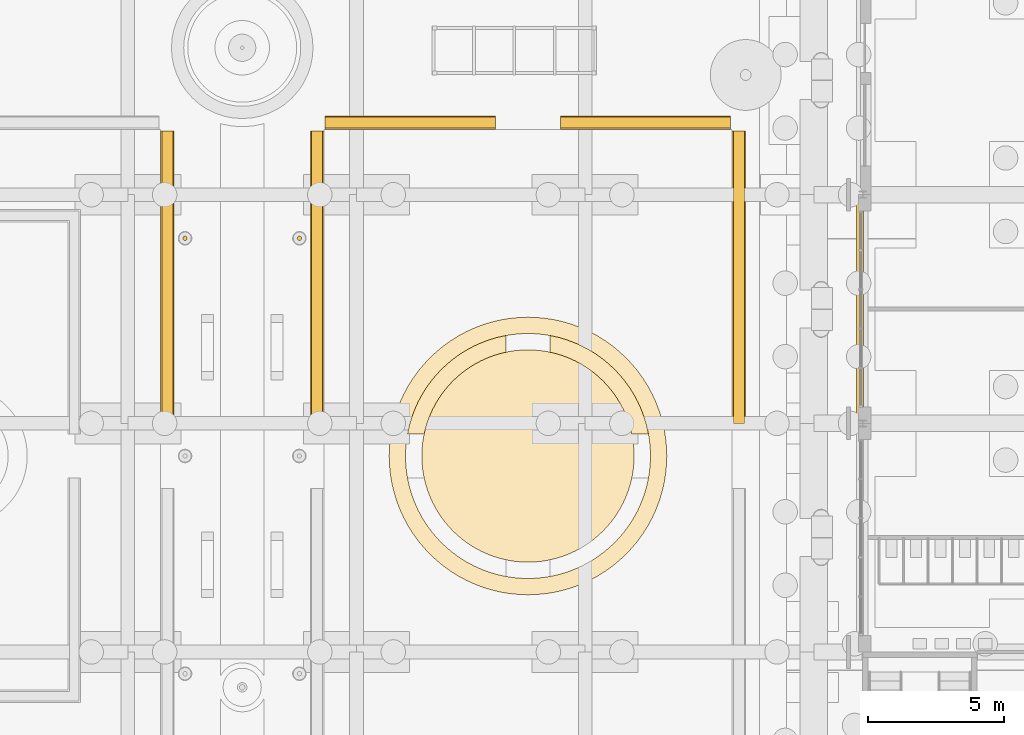
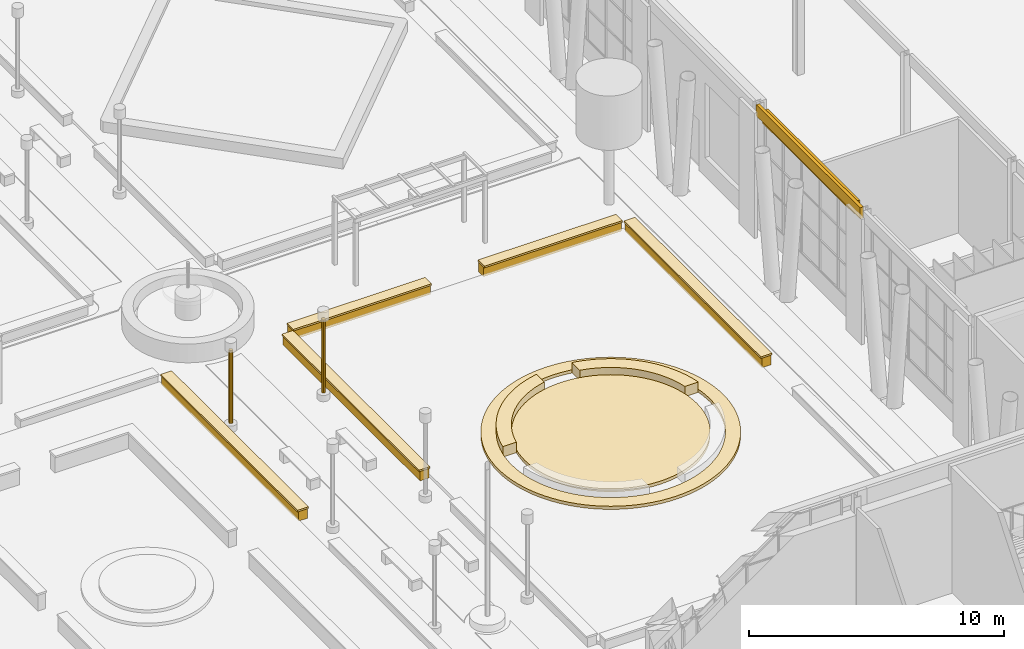
# One storey, part 139 of 222: 18 coverings.
"""IFC4 building model written with IfcOpenShell, lengths in metres."""

from ifc_helpers import new_model, si_unit, direction, frame, origin, origin_2d, place, context, subcontext, project, spatial, polyline, circle, outline, extrude, material, layer, layer_set, type_object, element, save


model = new_model("IFC4")

# Units and contexts
model_context = context("Model", 3, precision=1e-05, world=origin(), true_north=direction((0.0, 1.0)))
body_context = subcontext(model_context, "Body", "Model", "MODEL_VIEW")
ifc_project = project(units=[si_unit("LENGTHUNIT", "METRE"), si_unit("AREAUNIT", "SQUARE_METRE"), si_unit("VOLUMEUNIT", "CUBIC_METRE"), si_unit("PLANEANGLEUNIT", "RADIAN"), si_unit("MASSUNIT", "GRAM", prefix="KILO")], contexts=[model_context])

# Site, building, storey
site_placement = place(None, origin())
site = spatial("IfcSite", under=ifc_project, at=site_placement, CompositionType="ELEMENT")
building_placement = place(site_placement, origin())
building = spatial("IfcBuilding", under=site, at=building_placement, Name="Sava Quay Ferry Terminal", CompositionType="ELEMENT")
storey_placement = place(building_placement, origin())
storey = spatial("IfcBuildingStorey", under=building, at=storey_placement, Name="L00", CompositionType="ELEMENT", Elevation=0.0)

# Coverings
ifc_material_1 = material(Name="Copper patinated")
ifc_layer_1 = layer(ifc_material_1, 0.25)
ifc_layer_set_1 = layer_set([ifc_layer_1], Name="Copper patinated")
covering_type_1 = type_object("IfcCoveringType", Name="Copper spandrel panel 250", PredefinedType="CLADDING", material=ifc_layer_set_1)
covering_1_placement = place(storey_placement, frame((43.699951171875, 67.800048828125, 5.39990234375), z_axis=(0.0, 0.0, 1.0), x_axis=(0.0, 1.0, 0.0)))
element("IfcCovering", 1, at=covering_1_placement, inside=storey, type_object=covering_type_1, Name="Spandrel panel D-W", PredefinedType="CLADDING", context=body_context, shape_type="SweptSolid", body=[
    extrude(outline(polyline([(0.0, 0.0), (7.199951171875, 0.0), (7.199951171875, 0.60009765625), (0.0, 0.60009765625), (0.0, 0.0)])), frame((0.0, 0.125, 0.0), z_axis=(0.0, -1.0, 0.0), x_axis=(1.0, 0.0, 0.0)), (0.0, 0.0, 1.0), 0.25),
])
ifc_material_2 = material(Name="Steel S355", Category="steel")
ifc_layer_2 = layer(ifc_material_2, 0.159912109375)
ifc_layer_set_2 = layer_set([ifc_layer_2], Name="Steel S355")
covering_type_2 = type_object("IfcCoveringType", Name="Lamp standard column 160", PredefinedType="CLADDING", material=ifc_layer_set_2)
for number, where, z_axis, x_axis, name in (
    (2, (18.89990234375, 74.0, 3.800048828125), (0.0, 0.0, -1.0), (1.0, 0.0, 0.0), "Lamp standard column"),
    (3, (23.10009765625, 74.0, 3.800048828125), (0.0, 0.0, -1.0), (1.0, 0.0, 0.0), "Lamp standard column"),
):
    element("IfcCovering", number, at=place(storey_placement, frame(where, z_axis=z_axis, x_axis=x_axis)), inside=storey, type_object=covering_type_2, Name=name, PredefinedType="CLADDING", context=body_context, shape_type="SweptSolid", body=[
        extrude(circle(Radius=0.080078125, at=origin_2d()), origin(), (0.0, 0.0, 1.0), 3.5),
    ])
ifc_material_3 = material(Name="Limestone Mutalj", Category="masonry")
ifc_layer_3 = layer(ifc_material_3, 0.449951171875)
ifc_layer_set_3 = layer_set([ifc_layer_3], Name="Limestone Mutalj")
covering_type_3 = type_object("IfcCoveringType", Name="Seat wall 450", PredefinedType="CLADDING", material=ifc_layer_set_3)
covering_2_placement = place(storey_placement, frame((0.0, 0.0, 0.14990234375)))
element("IfcCovering", 4, at=covering_2_placement, inside=storey, type_object=covering_type_3, Name="Seat wall 450", PredefinedType="CLADDING", context=body_context, shape_type="SweptSolid", body=[
    extrude(outline(polyline([(27.239013671875, 67.446044921875), (27.153076171875, 67.1650390625), (27.0859375, 66.8779296875), (27.073974609375, 66.800048828125), (27.68408203125, 66.800048828125), (27.73291015625, 67.009033203125), (27.806884765625, 67.25390625), (27.89697265625, 67.491943359375), (28.001953125, 67.72509765625), (28.123046875, 67.949951171875), (28.257080078125, 68.1669921875), (28.406005859375, 68.3740234375), (28.568115234375, 68.571044921875), (28.741943359375, 68.758056640625), (28.928955078125, 68.931884765625), (29.1259765625, 69.093994140625), (29.3330078125, 69.242919921875), (29.550048828125, 69.376953125), (29.77490234375, 69.498046875), (30.008056640625, 69.60302734375), (30.24609375, 69.693115234375), (30.490966796875, 69.76708984375), (30.699951171875, 69.81591796875), (30.699951171875, 70.426025390625), (30.6220703125, 70.4140625), (30.3349609375, 70.346923828125), (30.053955078125, 70.260986328125), (29.778076171875, 70.156982421875), (29.510009765625, 70.035888671875), (29.25, 69.89697265625), (29.0, 69.741943359375), (28.760986328125, 69.570068359375), (28.532958984375, 69.383056640625), (28.318115234375, 69.181884765625), (28.116943359375, 68.967041015625), (27.929931640625, 68.739013671875), (27.758056640625, 68.5), (27.60302734375, 68.25), (27.464111328125, 67.989990234375), (27.343017578125, 67.721923828125), (27.239013671875, 67.446044921875)])), origin(), (0.0, 0.0, 1.0), 0.5),
])
covering_3_placement = place(storey_placement, frame((0.0, 0.0, 0.14990234375)))
element("IfcCovering", 5, at=covering_3_placement, inside=storey, type_object=covering_type_3, Name="Seat wall 450", PredefinedType="CLADDING", context=body_context, shape_type="SweptSolid", body=[
    extrude(outline(polyline([(32.946044921875, 70.260986328125), (32.6650390625, 70.346923828125), (32.3779296875, 70.4140625), (32.300048828125, 70.426025390625), (32.300048828125, 69.81591796875), (32.509033203125, 69.76708984375), (32.75390625, 69.693115234375), (32.991943359375, 69.60302734375), (33.22509765625, 69.498046875), (33.449951171875, 69.376953125), (33.6669921875, 69.242919921875), (33.8740234375, 69.093994140625), (34.071044921875, 68.931884765625), (34.258056640625, 68.758056640625), (34.431884765625, 68.571044921875), (34.593994140625, 68.3740234375), (34.742919921875, 68.1669921875), (34.876953125, 67.949951171875), (34.998046875, 67.72509765625), (35.10302734375, 67.491943359375), (35.193115234375, 67.25390625), (35.26708984375, 67.009033203125), (35.31591796875, 66.800048828125), (35.926025390625, 66.800048828125), (35.9140625, 66.8779296875), (35.846923828125, 67.1650390625), (35.760986328125, 67.446044921875), (35.656982421875, 67.721923828125), (35.535888671875, 67.989990234375), (35.39697265625, 68.25), (35.241943359375, 68.5), (35.070068359375, 68.739013671875), (34.883056640625, 68.967041015625), (34.681884765625, 69.181884765625), (34.467041015625, 69.383056640625), (34.239013671875, 69.570068359375), (34.0, 69.741943359375), (33.75, 69.89697265625), (33.489990234375, 70.035888671875), (33.221923828125, 70.156982421875), (32.946044921875, 70.260986328125)])), origin(), (0.0, 0.0, 1.0), 0.5),
])
ifc_material_4 = material(Name="Limestone Mutalj", Category="masonry")
ifc_layer_4 = layer(ifc_material_4, 0.14990234375)
ifc_layer_set_4 = layer_set([ifc_layer_4], Name="Limestone Mutalj")
covering_type_4 = type_object("IfcCoveringType", Name="Slab edge fascia 150", PredefinedType="CLADDING", material=ifc_layer_set_4)
covering_4_placement = place(storey_placement, frame((0.0, 0.0, 5.469970703125)))
element("IfcCovering", 6, at=covering_4_placement, inside=storey, type_object=covering_type_4, Name="Slab edge fascia", PredefinedType="CLADDING", context=body_context, shape_type="SweptSolid", body=[
    extrude(outline(polyline([(43.56201171875, 67.320068359375), (43.7119140625, 67.320068359375), (43.7119140625, 75.47998046875), (43.56201171875, 75.47998046875), (43.56201171875, 67.320068359375)])), origin(), (0.0, 0.0, 1.0), 0.530029296875),
])
ifc_material_5 = material(Name="Limestone Mutalj", Category="masonry")
ifc_layer_5 = layer(ifc_material_5, 0.14990234375)
ifc_layer_set_5 = layer_set([ifc_layer_5], Name="Limestone Mutalj")
covering_type_5 = type_object("IfcCoveringType", Name="Stone step 150", PredefinedType="MOLDING", material=ifc_layer_set_5)
covering_5_placement = place(storey_placement, frame((0.0, 0.0, 0.14990234375)))
element("IfcCovering", 7, at=covering_5_placement, inside=storey, type_object=covering_type_5, Name="Stone step 150", PredefinedType="MOLDING", context=body_context, shape_type="SweptSolid", body=[
    extrude(outline(polyline([(36.501953125, 65.0048828125), (36.555908203125, 65.333984375), (36.589111328125, 65.666015625), (36.60009765625, 66.0), (36.589111328125, 66.333984375), (36.555908203125, 66.666015625), (36.501953125, 66.9951171875), (36.426025390625, 67.320068359375), (36.3291015625, 67.638916015625), (36.2119140625, 67.951904296875), (36.073974609375, 68.256103515625), (35.9169921875, 68.550048828125), (35.739990234375, 68.8330078125), (35.5458984375, 69.10498046875), (35.333984375, 69.363037109375), (35.10595703125, 69.60595703125), (34.863037109375, 69.833984375), (34.60498046875, 70.0458984375), (34.3330078125, 70.239990234375), (34.050048828125, 70.4169921875), (33.756103515625, 70.573974609375), (33.451904296875, 70.7119140625), (33.138916015625, 70.8291015625), (32.820068359375, 70.926025390625), (32.4951171875, 71.001953125), (32.166015625, 71.055908203125), (31.833984375, 71.089111328125), (31.5, 71.10009765625), (31.166015625, 71.089111328125), (30.833984375, 71.055908203125), (30.5048828125, 71.001953125), (30.179931640625, 70.926025390625), (29.861083984375, 70.8291015625), (29.548095703125, 70.7119140625), (29.243896484375, 70.573974609375), (28.949951171875, 70.4169921875), (28.6669921875, 70.239990234375), (28.39501953125, 70.0458984375), (28.136962890625, 69.833984375), (27.89404296875, 69.60595703125), (27.666015625, 69.363037109375), (27.4541015625, 69.10498046875), (27.260009765625, 68.8330078125), (27.0830078125, 68.550048828125), (26.926025390625, 68.256103515625), (26.7880859375, 67.951904296875), (26.6708984375, 67.638916015625), (26.573974609375, 67.320068359375), (26.498046875, 66.9951171875), (26.444091796875, 66.666015625), (26.410888671875, 66.333984375), (26.39990234375, 66.0), (26.410888671875, 65.666015625), (26.444091796875, 65.333984375), (26.498046875, 65.0048828125), (26.573974609375, 64.679931640625), (26.6708984375, 64.361083984375), (26.7880859375, 64.048095703125), (26.926025390625, 63.743896484375), (27.0830078125, 63.449951171875), (27.260009765625, 63.1669921875), (27.4541015625, 62.89501953125), (27.666015625, 62.636962890625), (27.89404296875, 62.39404296875), (28.136962890625, 62.166015625), (28.39501953125, 61.9541015625), (28.6669921875, 61.760009765625), (28.949951171875, 61.5830078125), (29.243896484375, 61.426025390625), (29.548095703125, 61.2880859375), (29.861083984375, 61.1708984375), (30.179931640625, 61.073974609375), (30.5048828125, 60.998046875), (30.833984375, 60.944091796875), (31.166015625, 60.910888671875), (31.5, 60.89990234375), (31.833984375, 60.910888671875), (32.166015625, 60.944091796875), (32.4951171875, 60.998046875), (32.820068359375, 61.073974609375), (33.138916015625, 61.1708984375), (33.451904296875, 61.2880859375), (33.756103515625, 61.426025390625), (34.050048828125, 61.5830078125), (34.3330078125, 61.760009765625), (34.60498046875, 61.9541015625), (34.863037109375, 62.166015625), (35.10595703125, 62.39404296875), (35.333984375, 62.636962890625), (35.5458984375, 62.89501953125), (35.739990234375, 63.1669921875), (35.9169921875, 63.449951171875), (36.073974609375, 63.743896484375), (36.2119140625, 64.048095703125), (36.3291015625, 64.361083984375), (36.426025390625, 64.679931640625), (36.501953125, 65.0048828125)]), holes=[polyline([(35.9140625, 66.8779296875), (35.9619140625, 66.5869140625), (35.989990234375, 66.2939453125), (36.0, 66.0), (35.989990234375, 65.7060546875), (35.9619140625, 65.4130859375), (35.9140625, 65.1220703125), (35.846923828125, 64.8349609375), (35.760986328125, 64.553955078125), (35.656982421875, 64.278076171875), (35.535888671875, 64.010009765625), (35.39697265625, 63.75), (35.241943359375, 63.5), (35.070068359375, 63.260986328125), (34.883056640625, 63.032958984375), (34.681884765625, 62.818115234375), (34.467041015625, 62.616943359375), (34.239013671875, 62.429931640625), (34.0, 62.258056640625), (33.75, 62.10302734375), (33.489990234375, 61.964111328125), (33.221923828125, 61.843017578125), (32.946044921875, 61.739013671875), (32.6650390625, 61.653076171875), (32.3779296875, 61.5859375), (32.0869140625, 61.5380859375), (31.7939453125, 61.510009765625), (31.5, 61.5), (31.2060546875, 61.510009765625), (30.9130859375, 61.5380859375), (30.6220703125, 61.5859375), (30.3349609375, 61.653076171875), (30.053955078125, 61.739013671875), (29.778076171875, 61.843017578125), (29.510009765625, 61.964111328125), (29.25, 62.10302734375), (29.0, 62.258056640625), (28.760986328125, 62.429931640625), (28.532958984375, 62.616943359375), (28.318115234375, 62.818115234375), (28.116943359375, 63.032958984375), (27.929931640625, 63.260986328125), (27.758056640625, 63.5), (27.60302734375, 63.75), (27.464111328125, 64.010009765625), (27.343017578125, 64.278076171875), (27.239013671875, 64.553955078125), (27.153076171875, 64.8349609375), (27.0859375, 65.1220703125), (27.0380859375, 65.4130859375), (27.010009765625, 65.7060546875), (27.0, 66.0), (27.010009765625, 66.2939453125), (27.0380859375, 66.5869140625), (27.0859375, 66.8779296875), (27.153076171875, 67.1650390625), (27.239013671875, 67.446044921875), (27.343017578125, 67.721923828125), (27.464111328125, 67.989990234375), (27.60302734375, 68.25), (27.758056640625, 68.5), (27.929931640625, 68.739013671875), (28.116943359375, 68.967041015625), (28.318115234375, 69.181884765625), (28.532958984375, 69.383056640625), (28.760986328125, 69.570068359375), (29.0, 69.741943359375), (29.25, 69.89697265625), (29.510009765625, 70.035888671875), (29.778076171875, 70.156982421875), (30.053955078125, 70.260986328125), (30.3349609375, 70.346923828125), (30.6220703125, 70.4140625), (30.9130859375, 70.4619140625), (31.2060546875, 70.489990234375), (31.5, 70.5), (31.7939453125, 70.489990234375), (32.0869140625, 70.4619140625), (32.3779296875, 70.4140625), (32.6650390625, 70.346923828125), (32.946044921875, 70.260986328125), (33.221923828125, 70.156982421875), (33.489990234375, 70.035888671875), (33.75, 69.89697265625), (34.0, 69.741943359375), (34.239013671875, 69.570068359375), (34.467041015625, 69.383056640625), (34.681884765625, 69.181884765625), (34.883056640625, 68.967041015625), (35.070068359375, 68.739013671875), (35.241943359375, 68.5), (35.39697265625, 68.25), (35.535888671875, 67.989990234375), (35.656982421875, 67.721923828125), (35.760986328125, 67.446044921875), (35.846923828125, 67.1650390625), (35.9140625, 66.8779296875)])]), origin(), (0.0, 0.0, 1.0), 0.150146484375),
])
covering_6_placement = place(storey_placement, frame((0.0, 0.0, 0.14990234375)))
element("IfcCovering", 8, at=covering_6_placement, inside=storey, type_object=covering_type_5, Name="Stone step 150", PredefinedType="MOLDING", context=body_context, shape_type="SweptSolid", body=[
    extrude(outline(polyline([(35.366943359375, 65.490966796875), (35.39208984375, 65.7451171875), (35.39990234375, 66.0), (35.39208984375, 66.2548828125), (35.366943359375, 66.509033203125), (35.324951171875, 66.760986328125), (35.26708984375, 67.009033203125), (35.193115234375, 67.25390625), (35.10302734375, 67.491943359375), (34.998046875, 67.72509765625), (34.876953125, 67.949951171875), (34.742919921875, 68.1669921875), (34.593994140625, 68.3740234375), (34.431884765625, 68.571044921875), (34.258056640625, 68.758056640625), (34.071044921875, 68.931884765625), (33.8740234375, 69.093994140625), (33.6669921875, 69.242919921875), (33.449951171875, 69.376953125), (33.22509765625, 69.498046875), (32.991943359375, 69.60302734375), (32.75390625, 69.693115234375), (32.509033203125, 69.76708984375), (32.260986328125, 69.824951171875), (32.009033203125, 69.866943359375), (31.7548828125, 69.89208984375), (31.5, 69.89990234375), (31.2451171875, 69.89208984375), (30.990966796875, 69.866943359375), (30.739013671875, 69.824951171875), (30.490966796875, 69.76708984375), (30.24609375, 69.693115234375), (30.008056640625, 69.60302734375), (29.77490234375, 69.498046875), (29.550048828125, 69.376953125), (29.3330078125, 69.242919921875), (29.1259765625, 69.093994140625), (28.928955078125, 68.931884765625), (28.741943359375, 68.758056640625), (28.568115234375, 68.571044921875), (28.406005859375, 68.3740234375), (28.257080078125, 68.1669921875), (28.123046875, 67.949951171875), (28.001953125, 67.72509765625), (27.89697265625, 67.491943359375), (27.806884765625, 67.25390625), (27.73291015625, 67.009033203125), (27.675048828125, 66.760986328125), (27.633056640625, 66.509033203125), (27.60791015625, 66.2548828125), (27.60009765625, 66.0), (27.60791015625, 65.7451171875), (27.633056640625, 65.490966796875), (27.675048828125, 65.239013671875), (27.73291015625, 64.990966796875), (27.806884765625, 64.74609375), (27.89697265625, 64.508056640625), (28.001953125, 64.27490234375), (28.123046875, 64.050048828125), (28.257080078125, 63.8330078125), (28.406005859375, 63.6259765625), (28.568115234375, 63.428955078125), (28.741943359375, 63.241943359375), (28.928955078125, 63.068115234375), (29.1259765625, 62.906005859375), (29.3330078125, 62.757080078125), (29.550048828125, 62.623046875), (29.77490234375, 62.501953125), (30.008056640625, 62.39697265625), (30.24609375, 62.306884765625), (30.490966796875, 62.23291015625), (30.739013671875, 62.175048828125), (30.990966796875, 62.133056640625), (31.2451171875, 62.10791015625), (31.5, 62.10009765625), (31.7548828125, 62.10791015625), (32.009033203125, 62.133056640625), (32.260986328125, 62.175048828125), (32.509033203125, 62.23291015625), (32.75390625, 62.306884765625), (32.991943359375, 62.39697265625), (33.22509765625, 62.501953125), (33.449951171875, 62.623046875), (33.6669921875, 62.757080078125), (33.8740234375, 62.906005859375), (34.071044921875, 63.068115234375), (34.258056640625, 63.241943359375), (34.431884765625, 63.428955078125), (34.593994140625, 63.6259765625), (34.742919921875, 63.8330078125), (34.876953125, 64.050048828125), (34.998046875, 64.27490234375), (35.10302734375, 64.508056640625), (35.193115234375, 64.74609375), (35.26708984375, 64.990966796875), (35.324951171875, 65.239013671875), (35.366943359375, 65.490966796875)])), origin(), (0.0, 0.0, 1.0), 0.150146484375),
])
ifc_material_6 = material(Name="Limestone Mutalj", Category="masonry")
ifc_layer_6 = layer(ifc_material_6, 0.080078125)
ifc_layer_set_6 = layer_set([ifc_layer_6], Name="Limestone Mutalj")
covering_type_6 = type_object("IfcCoveringType", Name="Terrace parterre coping 500", PredefinedType="MOLDING", material=ifc_layer_set_6)
covering_7_placement = place(storey_placement, frame((0.0, 0.0, 0.449951171875)))
element("IfcCovering", 9, at=covering_7_placement, inside=storey, type_object=covering_type_6, Name="Parterre wall coping", PredefinedType="MOLDING", context=body_context, shape_type="SweptSolid", body=[
    extrude(outline(polyline([(18.0, 67.199951171875), (18.5, 67.199951171875), (18.5, 77.949951171875), (18.0, 77.949951171875), (18.0, 67.199951171875)])), origin(), (0.0, 0.0, 1.0), 0.080078125),
])
covering_8_placement = place(storey_placement, frame((0.0, 0.0, 0.449951171875)))
element("IfcCovering", 10, at=covering_8_placement, inside=storey, type_object=covering_type_6, Name="Parterre wall coping", PredefinedType="MOLDING", context=body_context, shape_type="SweptSolid", body=[
    extrude(outline(polyline([(30.300048828125, 78.0), (30.300048828125, 78.5), (24.050048828125, 78.5), (24.050048828125, 78.0), (30.300048828125, 78.0)])), origin(), (0.0, 0.0, 1.0), 0.080078125),
])
covering_9_placement = place(storey_placement, frame((0.0, 0.0, 0.449951171875)))
element("IfcCovering", 11, at=covering_9_placement, inside=storey, type_object=covering_type_6, Name="Parterre wall coping", PredefinedType="MOLDING", context=body_context, shape_type="SweptSolid", body=[
    extrude(outline(polyline([(23.5, 67.199951171875), (24.0, 67.199951171875), (24.0, 77.949951171875), (23.5, 77.949951171875), (23.5, 67.199951171875)])), origin(), (0.0, 0.0, 1.0), 0.080078125),
])
covering_10_placement = place(storey_placement, frame((0.0, 0.0, 0.449951171875)))
element("IfcCovering", 12, at=covering_10_placement, inside=storey, type_object=covering_type_6, Name="Parterre wall coping", PredefinedType="MOLDING", context=body_context, shape_type="SweptSolid", body=[
    extrude(outline(polyline([(39.0, 67.199951171875), (39.5, 67.199951171875), (39.5, 77.949951171875), (39.0, 77.949951171875), (39.0, 67.199951171875)])), origin(), (0.0, 0.0, 1.0), 0.080078125),
])
covering_11_placement = place(storey_placement, frame((0.0, 0.0, 0.449951171875)))
element("IfcCovering", 13, at=covering_11_placement, inside=storey, type_object=covering_type_6, Name="Parterre wall coping", PredefinedType="MOLDING", context=body_context, shape_type="SweptSolid", body=[
    extrude(outline(polyline([(32.699951171875, 78.5), (32.699951171875, 78.0), (38.949951171875, 78.0), (38.949951171875, 78.5), (32.699951171875, 78.5)])), origin(), (0.0, 0.0, 1.0), 0.080078125),
])
ifc_material_7 = material(Name="Limestone Mutalj", Category="masonry")
ifc_layer_7 = layer(ifc_material_7, 0.39990234375)
ifc_layer_set_7 = layer_set([ifc_layer_7], Name="Limestone Mutalj")
covering_type_7 = type_object("IfcCoveringType", Name="Terrace parterre wall 400", PredefinedType="CLADDING", material=ifc_layer_set_7)
covering_12_placement = place(storey_placement, origin())
element("IfcCovering", 14, at=covering_12_placement, inside=storey, type_object=covering_type_7, Name="Parterre wall", PredefinedType="CLADDING", context=body_context, shape_type="SweptSolid", body=[
    extrude(outline(polyline([(18.050048828125, 67.199951171875), (18.449951171875, 67.199951171875), (18.449951171875, 77.949951171875), (18.050048828125, 77.949951171875), (18.050048828125, 67.199951171875)])), origin(), (0.0, 0.0, 1.0), 0.449951171875),
])
covering_13_placement = place(storey_placement, origin())
element("IfcCovering", 15, at=covering_13_placement, inside=storey, type_object=covering_type_7, Name="Parterre wall", PredefinedType="CLADDING", context=body_context, shape_type="SweptSolid", body=[
    extrude(outline(polyline([(30.300048828125, 78.050048828125), (30.300048828125, 78.449951171875), (24.050048828125, 78.449951171875), (24.050048828125, 78.050048828125), (30.300048828125, 78.050048828125)])), origin(), (0.0, 0.0, 1.0), 0.449951171875),
])
covering_14_placement = place(storey_placement, origin())
element("IfcCovering", 16, at=covering_14_placement, inside=storey, type_object=covering_type_7, Name="Parterre wall", PredefinedType="CLADDING", context=body_context, shape_type="SweptSolid", body=[
    extrude(outline(polyline([(23.550048828125, 67.199951171875), (23.949951171875, 67.199951171875), (23.949951171875, 77.949951171875), (23.550048828125, 77.949951171875), (23.550048828125, 67.199951171875)])), origin(), (0.0, 0.0, 1.0), 0.449951171875),
])
covering_15_placement = place(storey_placement, origin())
element("IfcCovering", 17, at=covering_15_placement, inside=storey, type_object=covering_type_7, Name="Parterre wall", PredefinedType="CLADDING", context=body_context, shape_type="SweptSolid", body=[
    extrude(outline(polyline([(39.050048828125, 67.199951171875), (39.449951171875, 67.199951171875), (39.449951171875, 77.949951171875), (39.050048828125, 77.949951171875), (39.050048828125, 67.199951171875)])), origin(), (0.0, 0.0, 1.0), 0.449951171875),
])
covering_16_placement = place(storey_placement, origin())
element("IfcCovering", 18, at=covering_16_placement, inside=storey, type_object=covering_type_7, Name="Parterre wall", PredefinedType="CLADDING", context=body_context, shape_type="SweptSolid", body=[
    extrude(outline(polyline([(32.699951171875, 78.449951171875), (32.699951171875, 78.050048828125), (38.949951171875, 78.050048828125), (38.949951171875, 78.449951171875), (32.699951171875, 78.449951171875)])), origin(), (0.0, 0.0, 1.0), 0.449951171875),
])

save(model, "model.ifc")
